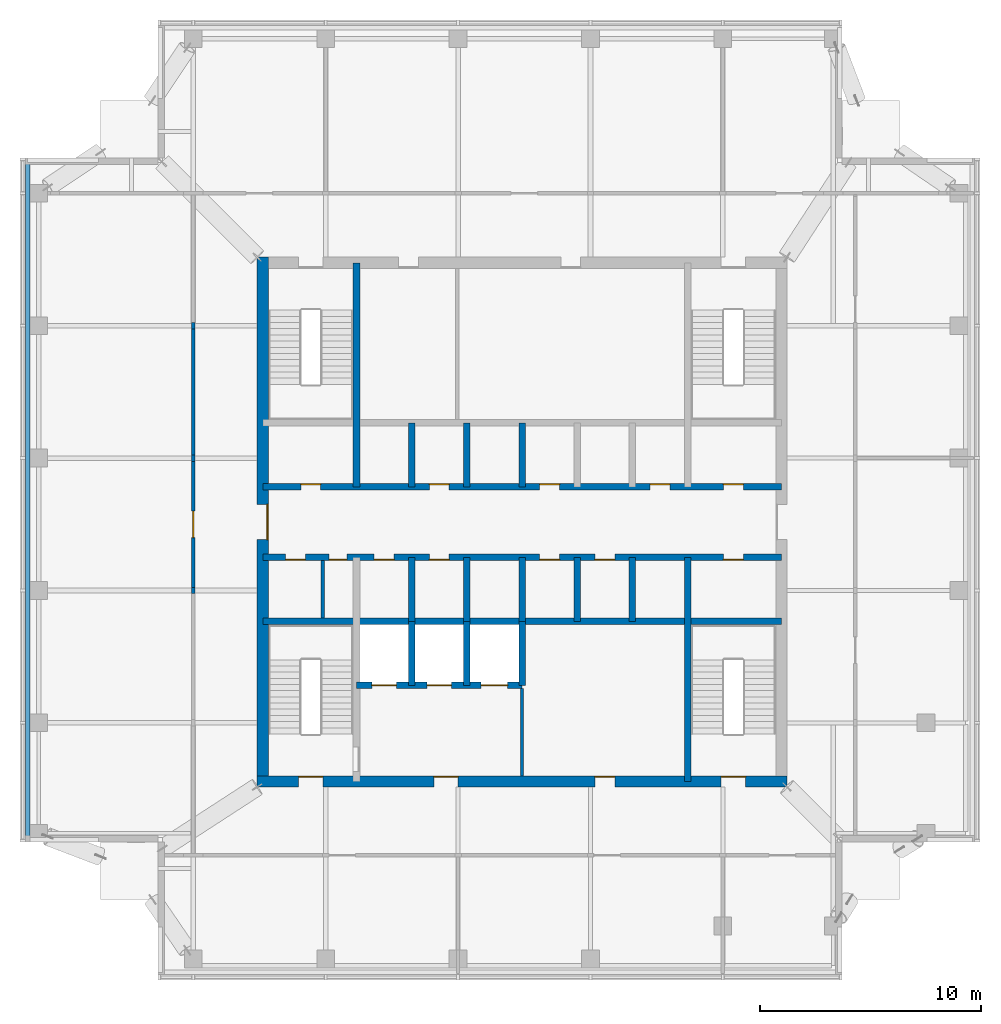
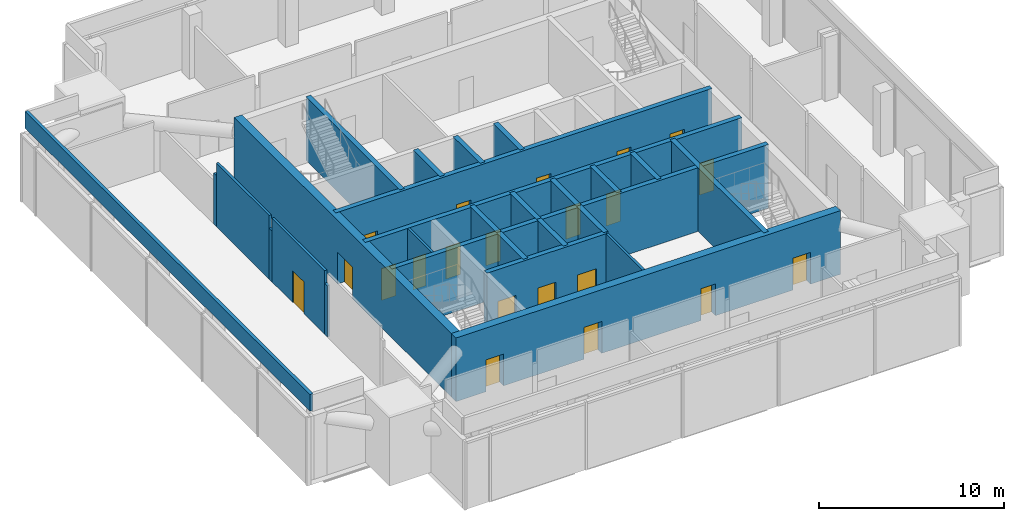
# One storey, part 4 of 11: 27 walls, 21 doors, 21 openings.
"""IFC4 building model written with IfcOpenShell, lengths in metres."""

from ifc_helpers import new_model, si_unit, direction, frame, frame_2d, origin, place, context, subcontext, project, spatial, rectangle, extrude, material, layer, layer_set, type_object, element, fill, save


model = new_model("IFC4")

# Units and contexts
model_context = context("Model", 3, precision=1e-05, world=origin(), true_north=direction((0.0, 1.0)))
body_context = subcontext(model_context, "Body", "Model", "MODEL_VIEW")
ifc_project = project(units=[si_unit("LENGTHUNIT", "METRE"), si_unit("AREAUNIT", "SQUARE_METRE"), si_unit("VOLUMEUNIT", "CUBIC_METRE"), si_unit("PLANEANGLEUNIT", "RADIAN"), si_unit("MASSUNIT", "GRAM", prefix="KILO")], contexts=[model_context])

# Site, building, storey
site_placement = place(None, origin())
site = spatial("IfcSite", under=ifc_project, at=site_placement, CompositionType="ELEMENT")
building_placement = place(site_placement, origin())
building = spatial("IfcBuilding", under=site, at=building_placement, Name="Amberfall Residences", CompositionType="ELEMENT")
storey_placement = place(building_placement, frame((0.0, 0.0, 286.300048828125)))
storey = spatial("IfcBuildingStorey", under=building, at=storey_placement, Name="L77 Crown", CompositionType="ELEMENT", Elevation=286.300048828125)

# Wall
ifc_material_1 = material(Name="Concrete C50", Category="concrete")
ifc_layer_1 = layer(ifc_material_1, 0.300048828125)
ifc_layer_set_1 = layer_set([ifc_layer_1], Name="Core wall 300 C50")
wall_type_1 = type_object("IfcWallType", Name="Core wall 300 C50", PredefinedType="SHEAR", material=ifc_layer_set_1)
wall_1_placement = place(storey_placement, frame((62.75, 41.0, 0.0), z_axis=(0.0, 0.0, 1.0), x_axis=(1.0, 0.0, 0.0)))
element("IfcWall", 1, at=wall_1_placement, inside=storey, type_object=wall_type_1, Name="Core wall RW10 L77 Crown H75", PredefinedType="SHEAR", context=body_context, shape_type="SweptSolid", body=[
    extrude(rectangle(XDim=23.5, YDim=0.300048828125, at=frame_2d((11.75, 0.0))), origin(), (0.0, 0.0, 1.0), 4.199951171875),
])

# Wall, openings, doors
wall_2_placement = place(storey_placement, frame((62.75, 43.89990234375, 0.0), z_axis=(0.0, 0.0, 1.0), x_axis=(1.0, 0.0, 0.0)))
wall_2 = element("IfcWall", 2, at=wall_2_placement, inside=storey, type_object=wall_type_1, Name="Core wall RW10 L77 Crown H104", PredefinedType="SHEAR", context=body_context, shape_type="SweptSolid", body=[
    extrude(rectangle(XDim=23.5, YDim=0.300048828125, at=frame_2d((11.75, 0.0))), origin(), (0.0, 0.0, 1.0), 4.199951171875),
])
opening_1_placement = place(wall_2_placement, frame((1.031982421875, 0.0, 0.0)))
opening_1 = element("IfcOpeningElement", 3, at=opening_1_placement, cuts=wall_2, Name="Opening RD1", PredefinedType="OPENING", context=body_context, shape_type="SweptSolid", body=[
    extrude(rectangle(XDim=0.89990234375, YDim=2.10009765625, at=frame_2d((0.449951171875, 1.050048828125))), frame((0.0, 0.159912109375, 0.0), z_axis=(0.0, -1.0, 0.0), x_axis=(1.0, 0.0, 0.0)), (0.0, 0.0, 1.0), 0.320068359375),
])
opening_2_placement = place(wall_2_placement, frame((3.007080078125, 0.0, 0.0)))
opening_2 = element("IfcOpeningElement", 4, at=opening_2_placement, cuts=wall_2, Name="Opening RD2", PredefinedType="OPENING", context=body_context, shape_type="SweptSolid", body=[
    extrude(rectangle(XDim=0.800048828125, YDim=2.10009765625, at=frame_2d((0.39990234375, 1.050048828125))), frame((0.0, 0.159912109375, 0.0), z_axis=(0.0, -1.0, 0.0), x_axis=(1.0, 0.0, 0.0)), (0.0, 0.0, 1.0), 0.320068359375),
])
opening_3_placement = place(wall_2_placement, frame((20.875, 0.0, 0.0)))
opening_3 = element("IfcOpeningElement", 5, at=opening_3_placement, cuts=wall_2, Name="Opening RD1", PredefinedType="OPENING", context=body_context, shape_type="SweptSolid", body=[
    extrude(rectangle(XDim=0.89990234375, YDim=2.10009765625, at=frame_2d((0.449951171875, 1.050048828125))), frame((0.0, 0.159912109375, 0.0), z_axis=(0.0, -1.0, 0.0), x_axis=(1.0, 0.0, 0.0)), (0.0, 0.0, 1.0), 0.320068359375),
])
opening_4_placement = place(wall_2_placement, frame((5.050048828125, 0.0, 0.0)))
opening_4 = element("IfcOpeningElement", 6, at=opening_4_placement, cuts=wall_2, Name="Opening RD1", PredefinedType="OPENING", context=body_context, shape_type="SweptSolid", body=[
    extrude(rectangle(XDim=0.89990234375, YDim=2.10009765625, at=frame_2d((0.449951171875, 1.050048828125))), frame((0.0, 0.159912109375, 0.0), z_axis=(0.0, -1.0, 0.0), x_axis=(1.0, 0.0, 0.0)), (0.0, 0.0, 1.0), 0.320068359375),
])
opening_5_placement = place(wall_2_placement, frame((7.550048828125, 0.0, 0.0)))
opening_5 = element("IfcOpeningElement", 7, at=opening_5_placement, cuts=wall_2, Name="Opening RD1", PredefinedType="OPENING", context=body_context, shape_type="SweptSolid", body=[
    extrude(rectangle(XDim=0.89990234375, YDim=2.10009765625, at=frame_2d((0.449951171875, 1.050048828125))), frame((0.0, 0.159912109375, 0.0), z_axis=(0.0, -1.0, 0.0), x_axis=(1.0, 0.0, 0.0)), (0.0, 0.0, 1.0), 0.320068359375),
])
opening_6_placement = place(wall_2_placement, frame((12.550048828125, 0.0, 0.0)))
opening_6 = element("IfcOpeningElement", 8, at=opening_6_placement, cuts=wall_2, Name="Opening RD1", PredefinedType="OPENING", context=body_context, shape_type="SweptSolid", body=[
    extrude(rectangle(XDim=0.89990234375, YDim=2.10009765625, at=frame_2d((0.449951171875, 1.050048828125))), frame((0.0, 0.159912109375, 0.0), z_axis=(0.0, -1.0, 0.0), x_axis=(1.0, 0.0, 0.0)), (0.0, 0.0, 1.0), 0.320068359375),
])
opening_7_placement = place(wall_2_placement, frame((15.050048828125, 0.0, 0.0)))
opening_7 = element("IfcOpeningElement", 9, at=opening_7_placement, cuts=wall_2, Name="Opening RD1", PredefinedType="OPENING", context=body_context, shape_type="SweptSolid", body=[
    extrude(rectangle(XDim=0.89990234375, YDim=2.10009765625, at=frame_2d((0.449951171875, 1.050048828125))), frame((0.0, 0.159912109375, 0.0), z_axis=(0.0, -1.0, 0.0), x_axis=(1.0, 0.0, 0.0)), (0.0, 0.0, 1.0), 0.320068359375),
])
ifc_material_2 = material(Name="Steel fire door set", Category="steel")
door_type_1 = type_object("IfcDoorType", Name="Service room door 800 x 2100", OperationType="SINGLE_SWING_LEFT", PredefinedType="DOOR", material=ifc_material_2)
door_1_placement = place(opening_2_placement, origin())
door_1 = element("IfcDoor", 10, at=door_1_placement, inside=storey, type_object=door_type_1, Name="RD2 L77 Crown", OperationType="SINGLE_SWING_RIGHT", OverallHeight=2.10009765625, OverallWidth=0.800048828125, PredefinedType="DOOR", context=body_context, shape_type="SweptSolid", body=[
    extrude(rectangle(XDim=0.800048828125, YDim=2.10009765625, at=frame_2d((0.39990234375, 1.050048828125))), frame((0.0, -0.08740234375, 0.0), z_axis=(0.0, -1.0, 0.0), x_axis=(1.0, 0.0, 0.0)), (0.0, 0.0, 1.0), 0.050048828125),
])
fill(opening_2, door_1)
door_type_2 = type_object("IfcDoorType", Name="Service room door 900 x 2100", OperationType="SINGLE_SWING_LEFT", PredefinedType="DOOR", material=ifc_material_2)
door_2_placement = place(opening_1_placement, origin())
door_2 = element("IfcDoor", 11, at=door_2_placement, inside=storey, type_object=door_type_2, Name="RD1 L77 Crown", OperationType="SINGLE_SWING_LEFT", OverallHeight=2.10009765625, OverallWidth=0.89990234375, PredefinedType="DOOR", context=body_context, shape_type="SweptSolid", body=[
    extrude(rectangle(XDim=0.89990234375, YDim=2.10009765625, at=frame_2d((0.449951171875, 1.050048828125))), frame((0.0, -0.08740234375, 0.0), z_axis=(0.0, -1.0, 0.0), x_axis=(1.0, 0.0, 0.0)), (0.0, 0.0, 1.0), 0.050048828125),
])
fill(opening_1, door_2)
door_3_placement = place(opening_3_placement, origin())
door_3 = element("IfcDoor", 12, at=door_3_placement, inside=storey, type_object=door_type_2, Name="RD1 L77 Crown", OperationType="SINGLE_SWING_LEFT", OverallHeight=2.10009765625, OverallWidth=0.89990234375, PredefinedType="DOOR", context=body_context, shape_type="SweptSolid", body=[
    extrude(rectangle(XDim=0.89990234375, YDim=2.10009765625, at=frame_2d((0.449951171875, 1.050048828125))), frame((0.0, -0.08740234375, 0.0), z_axis=(0.0, -1.0, 0.0), x_axis=(1.0, 0.0, 0.0)), (0.0, 0.0, 1.0), 0.050048828125),
])
fill(opening_3, door_3)
door_4_placement = place(opening_4_placement, origin())
door_4 = element("IfcDoor", 13, at=door_4_placement, inside=storey, type_object=door_type_2, Name="RD1 L77 Crown", OperationType="SINGLE_SWING_RIGHT", OverallHeight=2.10009765625, OverallWidth=0.89990234375, PredefinedType="DOOR", context=body_context, shape_type="SweptSolid", body=[
    extrude(rectangle(XDim=0.89990234375, YDim=2.10009765625, at=frame_2d((0.449951171875, 1.050048828125))), frame((0.0, -0.08740234375, 0.0), z_axis=(0.0, -1.0, 0.0), x_axis=(1.0, 0.0, 0.0)), (0.0, 0.0, 1.0), 0.050048828125),
])
fill(opening_4, door_4)
door_5_placement = place(opening_5_placement, origin())
door_5 = element("IfcDoor", 14, at=door_5_placement, inside=storey, type_object=door_type_2, Name="RD1 L77 Crown", OperationType="SINGLE_SWING_LEFT", OverallHeight=2.10009765625, OverallWidth=0.89990234375, PredefinedType="DOOR", context=body_context, shape_type="SweptSolid", body=[
    extrude(rectangle(XDim=0.89990234375, YDim=2.10009765625, at=frame_2d((0.449951171875, 1.050048828125))), frame((0.0, -0.08740234375, 0.0), z_axis=(0.0, -1.0, 0.0), x_axis=(1.0, 0.0, 0.0)), (0.0, 0.0, 1.0), 0.050048828125),
])
fill(opening_5, door_5)
door_6_placement = place(opening_6_placement, origin())
door_6 = element("IfcDoor", 15, at=door_6_placement, inside=storey, type_object=door_type_2, Name="RD1 L77 Crown", OperationType="SINGLE_SWING_LEFT", OverallHeight=2.10009765625, OverallWidth=0.89990234375, PredefinedType="DOOR", context=body_context, shape_type="SweptSolid", body=[
    extrude(rectangle(XDim=0.89990234375, YDim=2.10009765625, at=frame_2d((0.449951171875, 1.050048828125))), frame((0.0, -0.08740234375, 0.0), z_axis=(0.0, -1.0, 0.0), x_axis=(1.0, 0.0, 0.0)), (0.0, 0.0, 1.0), 0.050048828125),
])
fill(opening_6, door_6)
door_7_placement = place(opening_7_placement, origin())
door_7 = element("IfcDoor", 16, at=door_7_placement, inside=storey, type_object=door_type_2, Name="RD1 L77 Crown", OperationType="SINGLE_SWING_RIGHT", OverallHeight=2.10009765625, OverallWidth=0.89990234375, PredefinedType="DOOR", context=body_context, shape_type="SweptSolid", body=[
    extrude(rectangle(XDim=0.89990234375, YDim=2.10009765625, at=frame_2d((0.449951171875, 1.050048828125))), frame((0.0, -0.08740234375, 0.0), z_axis=(0.0, -1.0, 0.0), x_axis=(1.0, 0.0, 0.0)), (0.0, 0.0, 1.0), 0.050048828125),
])
fill(opening_7, door_7)

wall_3_placement = place(storey_placement, frame((62.75, 47.10009765625, 0.0), z_axis=(0.0, 0.0, 1.0), x_axis=(1.0, 0.0, 0.0)))
wall_3 = element("IfcWall", 17, at=wall_3_placement, inside=storey, type_object=wall_type_1, Name="Core wall RW10 L77 Crown H136", PredefinedType="SHEAR", context=body_context, shape_type="SweptSolid", body=[
    extrude(rectangle(XDim=23.5, YDim=0.300048828125, at=frame_2d((11.75, 0.0))), origin(), (0.0, 0.0, 1.0), 4.199951171875),
])
opening_8_placement = place(wall_3_placement, frame((1.72509765625, 0.0, 0.0)))
opening_8 = element("IfcOpeningElement", 18, at=opening_8_placement, cuts=wall_3, Name="Opening RD1", PredefinedType="OPENING", context=body_context, shape_type="SweptSolid", body=[
    extrude(rectangle(XDim=0.89990234375, YDim=2.10009765625, at=frame_2d((0.449951171875, 1.050048828125))), frame((0.0, 0.159912109375, 0.0), z_axis=(0.0, -1.0, 0.0), x_axis=(1.0, 0.0, 0.0)), (0.0, 0.0, 1.0), 0.320068359375),
])
opening_9_placement = place(wall_3_placement, frame((20.875, 0.0, 0.0)))
opening_9 = element("IfcOpeningElement", 19, at=opening_9_placement, cuts=wall_3, Name="Opening RD1", PredefinedType="OPENING", context=body_context, shape_type="SweptSolid", body=[
    extrude(rectangle(XDim=0.89990234375, YDim=2.10009765625, at=frame_2d((0.449951171875, 1.050048828125))), frame((0.0, 0.159912109375, 0.0), z_axis=(0.0, -1.0, 0.0), x_axis=(1.0, 0.0, 0.0)), (0.0, 0.0, 1.0), 0.320068359375),
])
opening_10_placement = place(wall_3_placement, frame((7.550048828125, 0.0, 0.0)))
opening_10 = element("IfcOpeningElement", 20, at=opening_10_placement, cuts=wall_3, Name="Opening RD1", PredefinedType="OPENING", context=body_context, shape_type="SweptSolid", body=[
    extrude(rectangle(XDim=0.89990234375, YDim=2.10009765625, at=frame_2d((0.449951171875, 1.050048828125))), frame((0.0, 0.159912109375, 0.0), z_axis=(0.0, -1.0, 0.0), x_axis=(1.0, 0.0, 0.0)), (0.0, 0.0, 1.0), 0.320068359375),
])
opening_11_placement = place(wall_3_placement, frame((12.550048828125, 0.0, 0.0)))
opening_11 = element("IfcOpeningElement", 21, at=opening_11_placement, cuts=wall_3, Name="Opening RD1", PredefinedType="OPENING", context=body_context, shape_type="SweptSolid", body=[
    extrude(rectangle(XDim=0.89990234375, YDim=2.10009765625, at=frame_2d((0.449951171875, 1.050048828125))), frame((0.0, 0.159912109375, 0.0), z_axis=(0.0, -1.0, 0.0), x_axis=(1.0, 0.0, 0.0)), (0.0, 0.0, 1.0), 0.320068359375),
])
opening_12_placement = place(wall_3_placement, frame((17.550048828125, 0.0, 0.0)))
opening_12 = element("IfcOpeningElement", 22, at=opening_12_placement, cuts=wall_3, Name="Opening RD1", PredefinedType="OPENING", context=body_context, shape_type="SweptSolid", body=[
    extrude(rectangle(XDim=0.89990234375, YDim=2.10009765625, at=frame_2d((0.449951171875, 1.050048828125))), frame((0.0, 0.159912109375, 0.0), z_axis=(0.0, -1.0, 0.0), x_axis=(1.0, 0.0, 0.0)), (0.0, 0.0, 1.0), 0.320068359375),
])
door_8_placement = place(opening_8_placement, origin())
door_8 = element("IfcDoor", 23, at=door_8_placement, inside=storey, type_object=door_type_2, Name="RD1 L77 Crown", OperationType="SINGLE_SWING_LEFT", OverallHeight=2.10009765625, OverallWidth=0.89990234375, PredefinedType="DOOR", context=body_context, shape_type="SweptSolid", body=[
    extrude(rectangle(XDim=0.89990234375, YDim=2.10009765625, at=frame_2d((0.449951171875, 1.050048828125))), frame((0.0, 0.1376953125, 0.0), z_axis=(0.0, -1.0, 0.0), x_axis=(1.0, 0.0, 0.0)), (0.0, 0.0, 1.0), 0.050048828125),
])
fill(opening_8, door_8)
door_9_placement = place(opening_9_placement, origin())
door_9 = element("IfcDoor", 24, at=door_9_placement, inside=storey, type_object=door_type_2, Name="RD1 L77 Crown", OperationType="SINGLE_SWING_LEFT", OverallHeight=2.10009765625, OverallWidth=0.89990234375, PredefinedType="DOOR", context=body_context, shape_type="SweptSolid", body=[
    extrude(rectangle(XDim=0.89990234375, YDim=2.10009765625, at=frame_2d((0.449951171875, 1.050048828125))), frame((0.0, 0.1376953125, 0.0), z_axis=(0.0, -1.0, 0.0), x_axis=(1.0, 0.0, 0.0)), (0.0, 0.0, 1.0), 0.050048828125),
])
fill(opening_9, door_9)
door_10_placement = place(opening_10_placement, origin())
door_10 = element("IfcDoor", 25, at=door_10_placement, inside=storey, type_object=door_type_2, Name="RD1 L77 Crown", OperationType="SINGLE_SWING_LEFT", OverallHeight=2.10009765625, OverallWidth=0.89990234375, PredefinedType="DOOR", context=body_context, shape_type="SweptSolid", body=[
    extrude(rectangle(XDim=0.89990234375, YDim=2.10009765625, at=frame_2d((0.449951171875, 1.050048828125))), frame((0.0, 0.1376953125, 0.0), z_axis=(0.0, -1.0, 0.0), x_axis=(1.0, 0.0, 0.0)), (0.0, 0.0, 1.0), 0.050048828125),
])
fill(opening_10, door_10)
door_11_placement = place(opening_11_placement, origin())
door_11 = element("IfcDoor", 26, at=door_11_placement, inside=storey, type_object=door_type_2, Name="RD1 L77 Crown", OperationType="SINGLE_SWING_LEFT", OverallHeight=2.10009765625, OverallWidth=0.89990234375, PredefinedType="DOOR", context=body_context, shape_type="SweptSolid", body=[
    extrude(rectangle(XDim=0.89990234375, YDim=2.10009765625, at=frame_2d((0.449951171875, 1.050048828125))), frame((0.0, 0.1376953125, 0.0), z_axis=(0.0, -1.0, 0.0), x_axis=(1.0, 0.0, 0.0)), (0.0, 0.0, 1.0), 0.050048828125),
])
fill(opening_11, door_11)
door_12_placement = place(opening_12_placement, origin())
door_12 = element("IfcDoor", 27, at=door_12_placement, inside=storey, type_object=door_type_2, Name="RD1 L77 Crown", OperationType="SINGLE_SWING_LEFT", OverallHeight=2.10009765625, OverallWidth=0.89990234375, PredefinedType="DOOR", context=body_context, shape_type="SweptSolid", body=[
    extrude(rectangle(XDim=0.89990234375, YDim=2.10009765625, at=frame_2d((0.449951171875, 1.050048828125))), frame((0.0, 0.1376953125, 0.0), z_axis=(0.0, -1.0, 0.0), x_axis=(1.0, 0.0, 0.0)), (0.0, 0.0, 1.0), 0.050048828125),
])
fill(opening_12, door_12)

# Walls
for number, where, z_axis, x_axis, name in (
    (28, (67.0, 47.10009765625, 0.0), (0.0, 0.0, 1.0), (0.0, 1.0, 0.0), "Core wall RW10 L77 Crown V45N"),
    (29, (82.0, 33.75, 0.0), (0.0, 0.0, 1.0), (0.0, 1.0, 0.0), "Core wall RW10 L77 Crown V195S"),
):
    element("IfcWall", number, at=place(storey_placement, frame(where, z_axis=z_axis, x_axis=x_axis)), inside=storey, type_object=wall_type_1, Name=name, PredefinedType="SHEAR", context=body_context, shape_type="SweptSolid", body=[
        extrude(rectangle(XDim=10.14990234375, YDim=0.300048828125, at=frame_2d((5.074951171875, 0.0))), origin(), (0.0, 0.0, 1.0), 4.199951171875),
    ])
for number, where, z_axis, x_axis, name in (
    (30, (69.5, 41.0, 0.0), (0.0, 0.0, 1.0), (0.0, 1.0, 0.0), "Core wall RW10 L77 Crown LPD1"),
    (31, (69.5, 47.10009765625, 0.0), (0.0, 0.0, 1.0), (0.0, 1.0, 0.0), "Core wall RW10 L77 Crown HPD1"),
    (32, (72.0, 41.0, 0.0), (0.0, 0.0, 1.0), (0.0, 1.0, 0.0), "Core wall RW10 L77 Crown LPD2"),
    (33, (72.0, 47.10009765625, 0.0), (0.0, 0.0, 1.0), (0.0, 1.0, 0.0), "Core wall RW10 L77 Crown HPD2"),
    (34, (74.5, 41.0, 0.0), (0.0, 0.0, 1.0), (0.0, 1.0, 0.0), "Core wall RW10 L77 Crown LPD3"),
    (35, (74.5, 47.10009765625, 0.0), (0.0, 0.0, 1.0), (0.0, 1.0, 0.0), "Core wall RW10 L77 Crown HPD3"),
    (36, (77.0, 41.0, 0.0), (0.0, 0.0, 1.0), (0.0, 1.0, 0.0), "Core wall RW10 L77 Crown LPD4"),
    (37, (79.5, 41.0, 0.0), (0.0, 0.0, 1.0), (0.0, 1.0, 0.0), "Core wall RW10 L77 Crown LPD5"),
):
    element("IfcWall", number, at=place(storey_placement, frame(where, z_axis=z_axis, x_axis=x_axis)), inside=storey, type_object=wall_type_1, Name=name, PredefinedType="SHEAR", context=body_context, shape_type="SweptSolid", body=[
        extrude(rectangle(XDim=2.89990234375, YDim=0.300048828125, at=frame_2d((1.449951171875, 0.0))), origin(), (0.0, 0.0, 1.0), 4.199951171875),
    ])

# Wall, openings, doors
wall_4_placement = place(storey_placement, frame((67.0, 38.10009765625, 0.0), z_axis=(0.0, 0.0, 1.0), x_axis=(1.0, 0.0, 0.0)))
wall_4 = element("IfcWall", 38, at=wall_4_placement, inside=storey, type_object=wall_type_1, Name="Core wall RW10 L77 Crown FFF", PredefinedType="SHEAR", context=body_context, shape_type="SweptSolid", body=[
    extrude(rectangle(XDim=7.5, YDim=0.300048828125, at=frame_2d((3.75, 0.0))), origin(), (0.0, 0.0, 1.0), 4.199951171875),
])
opening_13_placement = place(wall_4_placement, frame((0.699951171875, 0.0, 0.0)))
opening_13 = element("IfcOpeningElement", 39, at=opening_13_placement, cuts=wall_4, Name="Opening LD2", PredefinedType="OPENING", context=body_context, shape_type="SweptSolid", body=[
    extrude(rectangle(XDim=1.10009765625, YDim=2.10009765625, at=frame_2d((0.550048828125, 1.050048828125))), frame((0.0, 0.159912109375, 0.0), z_axis=(0.0, -1.0, 0.0), x_axis=(1.0, 0.0, 0.0)), (0.0, 0.0, 1.0), 0.320068359375),
])
opening_14_placement = place(wall_4_placement, frame((3.199951171875, 0.0, 0.0)))
opening_14 = element("IfcOpeningElement", 40, at=opening_14_placement, cuts=wall_4, Name="Opening LD2", PredefinedType="OPENING", context=body_context, shape_type="SweptSolid", body=[
    extrude(rectangle(XDim=1.10009765625, YDim=2.10009765625, at=frame_2d((0.550048828125, 1.050048828125))), frame((0.0, 0.159912109375, 0.0), z_axis=(0.0, -1.0, 0.0), x_axis=(1.0, 0.0, 0.0)), (0.0, 0.0, 1.0), 0.320068359375),
])
opening_15_placement = place(wall_4_placement, frame((5.64990234375, 0.0, 0.0)))
opening_15 = element("IfcOpeningElement", 41, at=opening_15_placement, cuts=wall_4, Name="Opening LD3", PredefinedType="OPENING", context=body_context, shape_type="SweptSolid", body=[
    extrude(rectangle(XDim=1.199951171875, YDim=2.10009765625, at=frame_2d((0.60009765625, 1.050048828125))), frame((0.0, 0.159912109375, 0.0), z_axis=(0.0, -1.0, 0.0), x_axis=(1.0, 0.0, 0.0)), (0.0, 0.0, 1.0), 0.320068359375),
])
door_type_3 = type_object("IfcDoorType", Name="Firefighting lift landing door 1100 x 2100", OperationType="DOUBLE_DOOR_SLIDING", PredefinedType="DOOR", material=ifc_material_2)
door_13_placement = place(opening_13_placement, origin())
door_13 = element("IfcDoor", 42, at=door_13_placement, inside=storey, type_object=door_type_3, Name="Landing door FF1 L77 Crown", OperationType="DOUBLE_DOOR_SLIDING", OverallHeight=2.10009765625, OverallWidth=1.10009765625, PredefinedType="DOOR", context=body_context, shape_type="SweptSolid", body=[
    extrude(rectangle(XDim=1.10009765625, YDim=2.10009765625, at=frame_2d((0.550048828125, 1.050048828125))), frame((0.0, 0.02490234375, 0.0), z_axis=(0.0, -1.0, 0.0), x_axis=(1.0, 0.0, 0.0)), (0.0, 0.0, 1.0), 0.050048828125),
])
fill(opening_13, door_13)
door_14_placement = place(opening_14_placement, origin())
door_14 = element("IfcDoor", 43, at=door_14_placement, inside=storey, type_object=door_type_3, Name="Landing door FF2 L77 Crown", OperationType="DOUBLE_DOOR_SLIDING", OverallHeight=2.10009765625, OverallWidth=1.10009765625, PredefinedType="DOOR", context=body_context, shape_type="SweptSolid", body=[
    extrude(rectangle(XDim=1.10009765625, YDim=2.10009765625, at=frame_2d((0.550048828125, 1.050048828125))), frame((0.0, 0.02490234375, 0.0), z_axis=(0.0, -1.0, 0.0), x_axis=(1.0, 0.0, 0.0)), (0.0, 0.0, 1.0), 0.050048828125),
])
fill(opening_14, door_14)
door_type_4 = type_object("IfcDoorType", Name="Service lift landing door 1200 x 2100", OperationType="DOUBLE_DOOR_SLIDING", PredefinedType="DOOR", material=ifc_material_2)
door_15_placement = place(opening_15_placement, origin())
door_15 = element("IfcDoor", 44, at=door_15_placement, inside=storey, type_object=door_type_4, Name="Landing door SL1 L77 Crown", OperationType="DOUBLE_DOOR_SLIDING", OverallHeight=2.10009765625, OverallWidth=1.199951171875, PredefinedType="DOOR", context=body_context, shape_type="SweptSolid", body=[
    extrude(rectangle(XDim=1.199951171875, YDim=2.10009765625, at=frame_2d((0.60009765625, 1.050048828125))), frame((0.0, 0.02490234375, 0.0), z_axis=(0.0, -1.0, 0.0), x_axis=(1.0, 0.0, 0.0)), (0.0, 0.0, 1.0), 0.050048828125),
])
fill(opening_15, door_15)

# Walls
for number, where, z_axis, x_axis, name in (
    (45, (69.5, 38.10009765625, 0.0), (0.0, 0.0, 1.0), (0.0, 1.0, 0.0), "Core wall RW10 L77 Crown FFD1"),
    (46, (72.0, 38.10009765625, 0.0), (0.0, 0.0, 1.0), (0.0, 1.0, 0.0), "Core wall RW10 L77 Crown FFD2"),
    (47, (74.5, 38.10009765625, 0.0), (0.0, 0.0, 1.0), (0.0, 1.0, 0.0), "Core wall RW10 L77 Crown FFD3"),
):
    element("IfcWall", number, at=place(storey_placement, frame(where, z_axis=z_axis, x_axis=x_axis)), inside=storey, type_object=wall_type_1, Name=name, PredefinedType="SHEAR", context=body_context, shape_type="SweptSolid", body=[
        extrude(rectangle(XDim=2.89990234375, YDim=0.300048828125, at=frame_2d((1.449951171875, 0.0))), origin(), (0.0, 0.0, 1.0), 4.199951171875),
    ])

# Wall, openings, doors
ifc_layer_2 = layer(ifc_material_1, 0.5)
ifc_layer_set_2 = layer_set([ifc_layer_2], Name="Core wall 500 C50")
wall_type_2 = type_object("IfcWallType", Name="Core wall 500 C50", PredefinedType="SHEAR", material=ifc_layer_set_2)
wall_5_placement = place(storey_placement, frame((62.5, 33.75, 0.0), z_axis=(0.0, 0.0, 1.0), x_axis=(1.0, 0.0, 0.0)))
wall_5 = element("IfcWall", 48, at=wall_5_placement, inside=storey, type_object=wall_type_2, Name="Core wall RW9 L77 Crown OS", PredefinedType="SHEAR", context=body_context, shape_type="SweptSolid", body=[
    extrude(rectangle(XDim=24.0, YDim=0.5, at=frame_2d((12.0, 0.0))), origin(), (0.0, 0.0, 1.0), 4.199951171875),
])
opening_16_placement = place(wall_5_placement, frame((1.875, 0.0, 0.0)))
opening_16 = element("IfcOpeningElement", 49, at=opening_16_placement, cuts=wall_5, Name="Opening SD1", PredefinedType="OPENING", context=body_context, shape_type="SweptSolid", body=[
    extrude(rectangle(XDim=1.10009765625, YDim=2.10009765625, at=frame_2d((0.550048828125, 1.050048828125))), frame((0.0, 0.260009765625, 0.0), z_axis=(0.0, -1.0, 0.0), x_axis=(1.0, 0.0, 0.0)), (0.0, 0.0, 1.0), 0.52001953125),
])
opening_17_placement = place(wall_5_placement, frame((21.02490234375, 0.0, 0.0)))
opening_17 = element("IfcOpeningElement", 50, at=opening_17_placement, cuts=wall_5, Name="Opening SD1", PredefinedType="OPENING", context=body_context, shape_type="SweptSolid", body=[
    extrude(rectangle(XDim=1.10009765625, YDim=2.10009765625, at=frame_2d((0.550048828125, 1.050048828125))), frame((0.0, 0.260009765625, 0.0), z_axis=(0.0, -1.0, 0.0), x_axis=(1.0, 0.0, 0.0)), (0.0, 0.0, 1.0), 0.52001953125),
])
opening_18_placement = place(wall_5_placement, frame((8.0, 0.0, 0.0)))
opening_18 = element("IfcOpeningElement", 51, at=opening_18_placement, cuts=wall_5, Name="Opening FL1", PredefinedType="OPENING", context=body_context, shape_type="SweptSolid", body=[
    extrude(rectangle(XDim=1.10009765625, YDim=2.10009765625, at=frame_2d((0.550048828125, 1.050048828125))), frame((0.0, 0.260009765625, 0.0), z_axis=(0.0, -1.0, 0.0), x_axis=(1.0, 0.0, 0.0)), (0.0, 0.0, 1.0), 0.52001953125),
])
opening_19_placement = place(wall_5_placement, frame((15.300048828125, 0.0, 0.0)))
opening_19 = element("IfcOpeningElement", 52, at=opening_19_placement, cuts=wall_5, Name="Opening RD1", PredefinedType="OPENING", context=body_context, shape_type="SweptSolid", body=[
    extrude(rectangle(XDim=0.89990234375, YDim=2.10009765625, at=frame_2d((0.449951171875, 1.050048828125))), frame((0.0, 0.260009765625, 0.0), z_axis=(0.0, -1.0, 0.0), x_axis=(1.0, 0.0, 0.0)), (0.0, 0.0, 1.0), 0.52001953125),
])
door_type_5 = type_object("IfcDoorType", Name="Firefighting lobby door 1100 x 2100", OperationType="SINGLE_SWING_LEFT", PredefinedType="DOOR", material=ifc_material_2)
door_16_placement = place(opening_18_placement, origin())
door_16 = element("IfcDoor", 53, at=door_16_placement, inside=storey, type_object=door_type_5, Name="FL1 L77 Crown", OperationType="SINGLE_SWING_LEFT", OverallHeight=2.10009765625, OverallWidth=1.10009765625, PredefinedType="DOOR", context=body_context, shape_type="SweptSolid", body=[
    extrude(rectangle(XDim=1.10009765625, YDim=2.10009765625, at=frame_2d((0.550048828125, 1.050048828125))), frame((0.0, 0.2373046875, 0.0), z_axis=(0.0, -1.0, 0.0), x_axis=(1.0, 0.0, 0.0)), (0.0, 0.0, 1.0), 0.050048828125),
])
fill(opening_18, door_16)
door_17_placement = place(opening_19_placement, origin())
door_17 = element("IfcDoor", 54, at=door_17_placement, inside=storey, type_object=door_type_2, Name="RD1 L77 Crown", OperationType="SINGLE_SWING_LEFT", OverallHeight=2.10009765625, OverallWidth=0.89990234375, PredefinedType="DOOR", context=body_context, shape_type="SweptSolid", body=[
    extrude(rectangle(XDim=0.89990234375, YDim=2.10009765625, at=frame_2d((0.449951171875, 1.050048828125))), frame((0.0, 0.2373046875, 0.0), z_axis=(0.0, -1.0, 0.0), x_axis=(1.0, 0.0, 0.0)), (0.0, 0.0, 1.0), 0.050048828125),
])
fill(opening_19, door_17)
door_type_6 = type_object("IfcDoorType", Name="Stair door 1100 x 2100", OperationType="SINGLE_SWING_LEFT", PredefinedType="DOOR", material=ifc_material_2)
door_18_placement = place(opening_16_placement, origin())
door_18 = element("IfcDoor", 55, at=door_18_placement, inside=storey, type_object=door_type_6, Name="SD1 L77 Crown", OperationType="SINGLE_SWING_LEFT", OverallHeight=2.10009765625, OverallWidth=1.10009765625, PredefinedType="DOOR", context=body_context, shape_type="SweptSolid", body=[
    extrude(rectangle(XDim=1.10009765625, YDim=2.10009765625, at=frame_2d((0.550048828125, 1.050048828125))), frame((0.0, 0.2373046875, 0.0), z_axis=(0.0, -1.0, 0.0), x_axis=(1.0, 0.0, 0.0)), (0.0, 0.0, 1.0), 0.050048828125),
])
fill(opening_16, door_18)
door_19_placement = place(opening_17_placement, origin())
door_19 = element("IfcDoor", 56, at=door_19_placement, inside=storey, type_object=door_type_6, Name="SD1 L77 Crown", OperationType="SINGLE_SWING_RIGHT", OverallHeight=2.10009765625, OverallWidth=1.10009765625, PredefinedType="DOOR", context=body_context, shape_type="SweptSolid", body=[
    extrude(rectangle(XDim=1.10009765625, YDim=2.10009765625, at=frame_2d((0.550048828125, 1.050048828125))), frame((0.0, 0.2373046875, 0.0), z_axis=(0.0, -1.0, 0.0), x_axis=(1.0, 0.0, 0.0)), (0.0, 0.0, 1.0), 0.050048828125),
])
fill(opening_17, door_19)

# Wall, opening, door
wall_6_placement = place(storey_placement, frame((62.75, 33.5, 0.0), z_axis=(0.0, 0.0, 1.0), x_axis=(0.0, 1.0, 0.0)))
wall_6 = element("IfcWall", 57, at=wall_6_placement, inside=storey, type_object=wall_type_2, Name="Core wall RW9 L77 Crown OW", PredefinedType="SHEAR", context=body_context, shape_type="SweptSolid", body=[
    extrude(rectangle(XDim=24.0, YDim=0.5, at=frame_2d((12.0, 0.0))), origin(), (0.0, 0.0, 1.0), 4.199951171875),
])
opening_20_placement = place(wall_6_placement, frame((11.199951171875, 0.0, 0.0)))
opening_20 = element("IfcOpeningElement", 58, at=opening_20_placement, cuts=wall_6, Name="Opening LB1", PredefinedType="OPENING", context=body_context, shape_type="SweptSolid", body=[
    extrude(rectangle(XDim=1.60009765625, YDim=2.10009765625, at=frame_2d((0.800048828125, 1.050048828125))), frame((0.0, 0.260009765625, 0.0), z_axis=(0.0, -1.0, 0.0), x_axis=(1.0, 0.0, 0.0)), (0.0, 0.0, 1.0), 0.52001953125),
])
door_type_7 = type_object("IfcDoorType", Name="Lift lobby double door 1600 x 2100", OperationType="DOUBLE_DOOR_SINGLE_SWING", PredefinedType="DOOR", material=ifc_material_2)
door_20_placement = place(opening_20_placement, origin())
door_20 = element("IfcDoor", 59, at=door_20_placement, inside=storey, type_object=door_type_7, Name="LB1 L77 Crown", OperationType="DOUBLE_DOOR_SINGLE_SWING", OverallHeight=2.10009765625, OverallWidth=1.60009765625, PredefinedType="DOOR", context=body_context, shape_type="SweptSolid", body=[
    extrude(rectangle(XDim=1.60009765625, YDim=2.10009765625, at=frame_2d((0.800048828125, 1.050048828125))), frame((0.0, -0.1875, 0.0), z_axis=(0.0, -1.0, 0.0), x_axis=(1.0, 0.0, 0.0)), (0.0, 0.0, 1.0), 0.050048828125),
])
fill(opening_20, door_20)

# Wall
ifc_material_3 = material(Name="Fire-rated gypsum board on steel studs", Category="steel")
ifc_layer_3 = layer(ifc_material_3, 0.14990234375)
ifc_layer_set_3 = layer_set([ifc_layer_3], Name="Partition 150 fire-rated")
wall_type_3 = type_object("IfcWallType", Name="Partition 150 fire-rated", PredefinedType="PARTITIONING", material=ifc_layer_set_3)
wall_7_placement = place(storey_placement, frame((59.60009765625, 42.254150390625, 0.0), z_axis=(0.0, 0.0, 1.0), x_axis=(0.0, 1.0, 0.0)))
element("IfcWall", 60, at=wall_7_placement, inside=storey, type_object=wall_type_3, Name="Partition 150 fire-rated L77 Crown 036", PredefinedType="PARTITIONING", context=body_context, shape_type="SweptSolid", body=[
    extrude(rectangle(XDim=0.291748046875, YDim=0.14990234375, at=frame_2d((0.14599609375, 0.0))), origin(), (0.0, 0.0, 1.0), 3.364990234375),
])

# Wall, opening, door
wall_8_placement = place(storey_placement, frame((59.60009765625, 42.5458984375, 0.0), z_axis=(0.0, 0.0, 1.0), x_axis=(0.0, 1.0, 0.0)))
wall_8 = element("IfcWall", 61, at=wall_8_placement, inside=storey, type_object=wall_type_3, Name="Partition 150 fire-rated L77 Crown 037", PredefinedType="PARTITIONING", context=body_context, shape_type="SweptSolid", body=[
    extrude(rectangle(XDim=5.708251953125, YDim=0.14990234375, at=frame_2d((2.85400390625, 0.0))), origin(), (0.0, 0.0, 1.0), 4.199951171875),
])
opening_21_placement = place(wall_8_placement, frame((2.254150390625, 0.0, 0.0)))
opening_21 = element("IfcOpeningElement", 62, at=opening_21_placement, cuts=wall_8, Name="Opening D7", PredefinedType="OPENING", context=body_context, shape_type="SweptSolid", body=[
    extrude(rectangle(XDim=1.199951171875, YDim=2.10009765625, at=frame_2d((0.60009765625, 1.050048828125))), frame((0.0, 0.0849609375, 0.0), z_axis=(0.0, -1.0, 0.0), x_axis=(1.0, 0.0, 0.0)), (0.0, 0.0, 1.0), 0.169921875),
])
ifc_material_4 = material(Name="Steel fire door leaf", Category="steel")
door_type_8 = type_object("IfcDoorType", Name="Plant room door 1200x2100", OperationType="SINGLE_SWING_LEFT", PredefinedType="DOOR", material=ifc_material_4)
door_21_placement = place(opening_21_placement, origin())
door_21 = element("IfcDoor", 63, at=door_21_placement, inside=storey, type_object=door_type_8, Name="Door AHU plant room", OperationType="SINGLE_SWING_LEFT", OverallHeight=2.10009765625, OverallWidth=1.199951171875, PredefinedType="DOOR", context=body_context, shape_type="SweptSolid", body=[
    extrude(rectangle(XDim=1.199951171875, YDim=2.10009765625, at=frame_2d((0.60009765625, 1.050048828125))), frame((0.0, 0.02490234375, 0.0), z_axis=(0.0, -1.0, 0.0), x_axis=(1.0, 0.0, 0.0)), (0.0, 0.0, 1.0), 0.050048828125),
])
fill(opening_21, door_21)

# Walls
wall_9_placement = place(storey_placement, frame((59.60009765625, 48.254150390625, 0.0), z_axis=(0.0, 0.0, 1.0), x_axis=(0.0, 1.0, 0.0)))
element("IfcWall", 64, at=wall_9_placement, inside=storey, type_object=wall_type_3, Name="Partition 150 fire-rated L77 Crown 038", PredefinedType="PARTITIONING", context=body_context, shape_type="SweptSolid", body=[
    extrude(rectangle(XDim=0.291748046875, YDim=0.14990234375, at=frame_2d((0.14599609375, 0.0))), origin(), (0.0, 0.0, 1.0), 3.364990234375),
])
wall_10_placement = place(storey_placement, frame((59.60009765625, 48.5458984375, 0.0), z_axis=(0.0, 0.0, 1.0), x_axis=(0.0, 1.0, 0.0)))
element("IfcWall", 65, at=wall_10_placement, inside=storey, type_object=wall_type_3, Name="Partition 150 fire-rated L77 Crown 039", PredefinedType="PARTITIONING", context=body_context, shape_type="SweptSolid", body=[
    extrude(rectangle(XDim=5.708251953125, YDim=0.14990234375, at=frame_2d((2.85400390625, 0.0))), origin(), (0.0, 0.0, 1.0), 4.199951171875),
])
wall_11_placement = place(storey_placement, frame((59.60009765625, 54.254150390625, 0.0), z_axis=(0.0, 0.0, 1.0), x_axis=(0.0, 1.0, 0.0)))
element("IfcWall", 66, at=wall_11_placement, inside=storey, type_object=wall_type_3, Name="Partition 150 fire-rated L77 Crown 040", PredefinedType="PARTITIONING", context=body_context, shape_type="SweptSolid", body=[
    extrude(rectangle(XDim=0.28662109375, YDim=0.14990234375, at=frame_2d((0.143310546875, 0.0))), origin(), (0.0, 0.0, 1.0), 3.35888671875),
])
ifc_material_5 = material(Name="Concrete blockwork", Category="masonry")
ifc_layer_4 = layer(ifc_material_5, 0.14990234375)
ifc_layer_set_4 = layer_set([ifc_layer_4], Name="Riser wall 150")
wall_type_4 = type_object("IfcWallType", Name="Riser wall 150", PredefinedType="PLUMBINGWALL", material=ifc_layer_set_4)
wall_12_placement = place(storey_placement, frame((74.5, 34.0, 0.0), z_axis=(0.0, 0.0, 1.0), x_axis=(0.0, 1.0, 0.0)))
element("IfcWall", 67, at=wall_12_placement, inside=storey, type_object=wall_type_4, Name="L77 Crown core wall PX", PredefinedType="PLUMBINGWALL", context=body_context, shape_type="SweptSolid", body=[
    extrude(rectangle(XDim=3.949951171875, YDim=0.14990234375, at=frame_2d((1.97509765625, 0.0))), origin(), (0.0, 0.0, 1.0), 4.199951171875),
])
wall_13_placement = place(storey_placement, frame((65.464111328125, 41.14990234375, 0.0), z_axis=(0.0, 0.0, 1.0), x_axis=(0.0, 1.0, 0.0)))
element("IfcWall", 68, at=wall_13_placement, inside=storey, type_object=wall_type_4, Name="L77 Crown core wall ASW0", PredefinedType="PLUMBINGWALL", context=body_context, shape_type="SweptSolid", body=[
    extrude(rectangle(XDim=2.60009765625, YDim=0.14990234375, at=frame_2d((1.300048828125, 0.0))), origin(), (0.0, 0.0, 1.0), 4.199951171875),
])
ifc_material_6 = material(Name="Reinforced concrete C50", Category="concrete")
ifc_layer_5 = layer(ifc_material_6, 0.199951171875)
ifc_layer_set_5 = layer_set([ifc_layer_5], Name="Roof parapet 200")
wall_type_5 = type_object("IfcWallType", Name="Roof parapet 200", PredefinedType="PARAPET", material=ifc_layer_set_5)
wall_14_placement = place(storey_placement, frame((52.10009765625, 31.10009765625, 4.5), z_axis=(0.0, 0.0, 1.0), x_axis=(0.0, 1.0, 0.0)))
element("IfcWall", 69, at=wall_14_placement, inside=storey, type_object=wall_type_5, Name="Roof parapet", PredefinedType="PARAPET", context=body_context, shape_type="SweptSolid", body=[
    extrude(rectangle(XDim=30.7998046875, YDim=0.199951171875, at=frame_2d((15.39990234375, 0.0))), origin(), (0.0, 0.0, 1.0), 1.099853515625),
])

save(model, "model.ifc")
